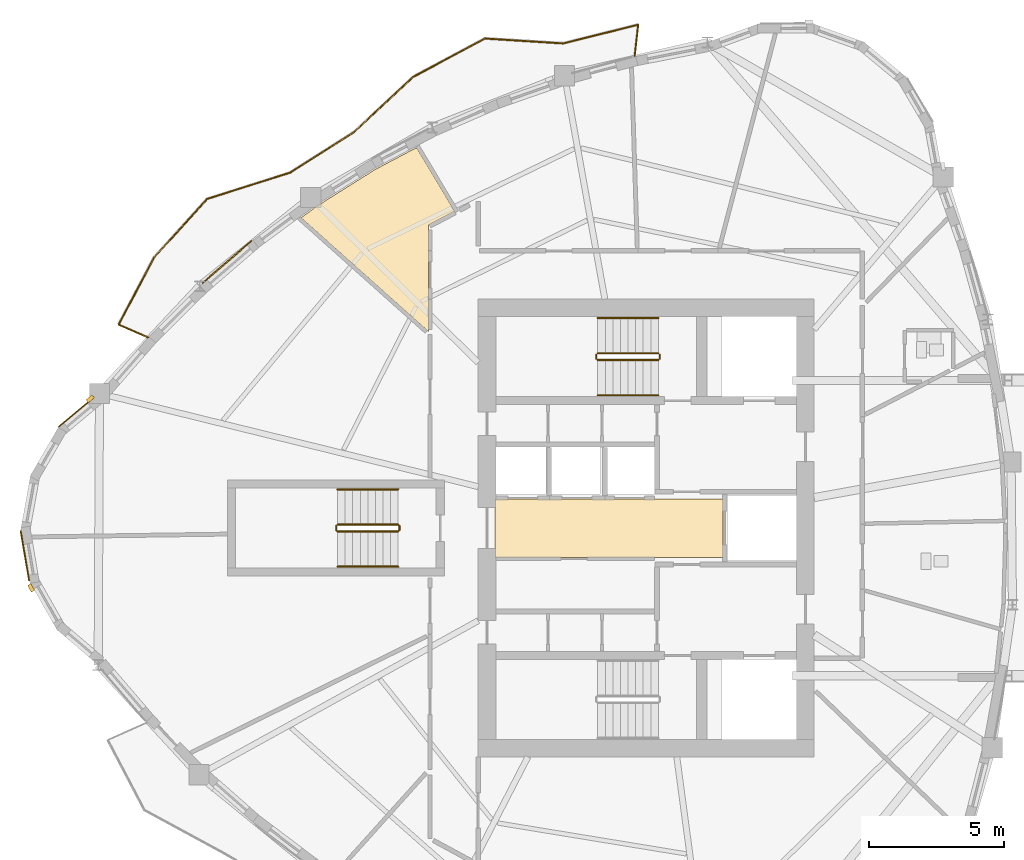
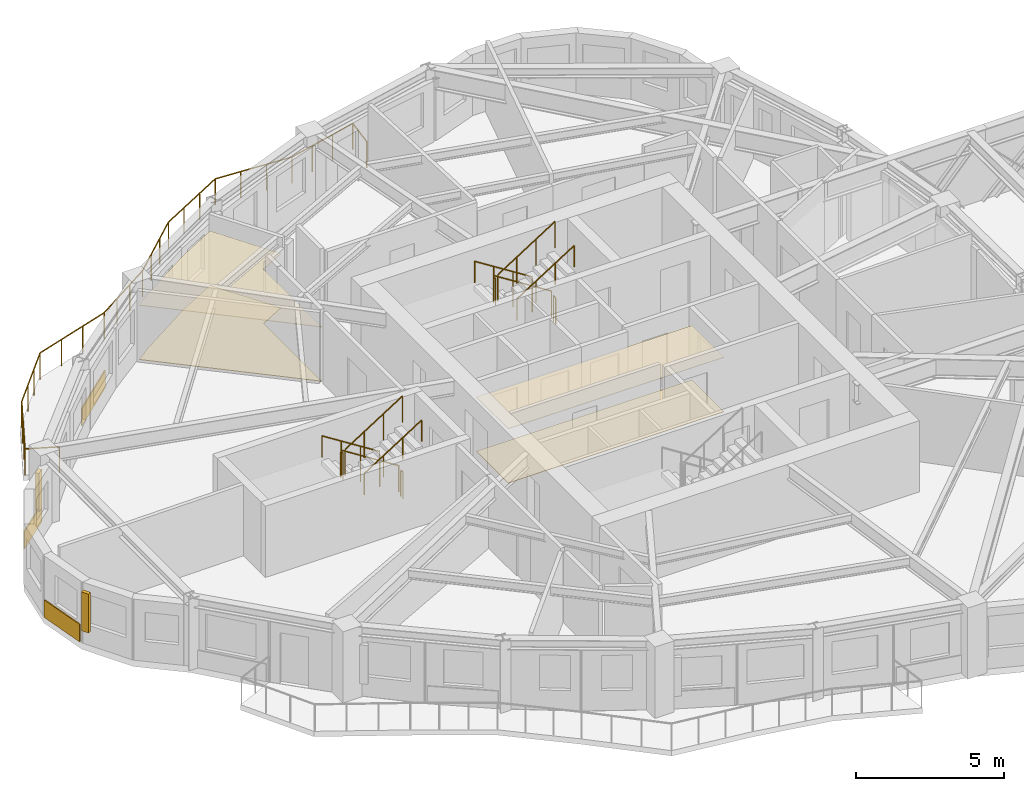
# One storey, part 11 of 13: 13 railings, 7 coverings, 2 shading devices.
"""IFC4 building model written with IfcOpenShell, lengths in metres."""

from ifc_helpers import new_model, si_unit, direction, frame, origin, origin_2d, place, context, subcontext, project, spatial, polyline, rectangle, circle, outline, extrude, source, transform, mapped, material, layer, layer_set, type_object, element, save


model = new_model("IFC4")

# Units and contexts
model_context = context("Model", 3, precision=1e-05, world=origin(), true_north=direction((0.0, 1.0)))
body_context = subcontext(model_context, "Body", "Model", "MODEL_VIEW")
ifc_project = project(units=[si_unit("LENGTHUNIT", "METRE"), si_unit("AREAUNIT", "SQUARE_METRE"), si_unit("VOLUMEUNIT", "CUBIC_METRE"), si_unit("PLANEANGLEUNIT", "RADIAN"), si_unit("MASSUNIT", "GRAM", prefix="KILO")], contexts=[model_context])

# Site, building, storey
site_placement = place(None, origin())
site = spatial("IfcSite", under=ifc_project, at=site_placement, CompositionType="ELEMENT")
building_placement = place(site_placement, origin())
building = spatial("IfcBuilding", under=site, at=building_placement, Name="Qafzar Sky-Pleat Residences", CompositionType="ELEMENT")
storey_placement = place(building_placement, frame((0.0, 0.0, 155.39990234375)))
storey = spatial("IfcBuildingStorey", under=building, at=storey_placement, Name="L46", CompositionType="ELEMENT", Elevation=155.39990234375)

# Coverings
ifc_material_1 = material(Name="Perforated acoustic gypsum board ceiling")
ifc_layer_1 = layer(ifc_material_1, 0.02001953125)
ifc_layer_set_1 = layer_set([ifc_layer_1], Name="Perforated acoustic gypsum board ceiling")
covering_type_1 = type_object("IfcCoveringType", Name="COV-CEIL-ACOUSTIC", PredefinedType="CEILING", material=ifc_layer_set_1)
covering_1_placement = place(storey_placement, frame((0.0, 0.0, 2.239990234375)))
element("IfcCovering", 1, at=covering_1_placement, inside=storey, type_object=covering_type_1, Name="L46 Passenger Lift Lobby Acoustic Ceiling", PredefinedType="CEILING", context=body_context, shape_type="SweptSolid", body=[
    extrude(outline(polyline([(33.179931640625, 24.919921875), (24.77001953125, 24.919921875), (24.77001953125, 27.080078125), (33.179931640625, 27.080078125), (33.179931640625, 24.919921875)])), origin(), (0.0, 0.0, 1.0), 0.02001953125),
])
covering_2_placement = place(storey_placement, frame((0.0, 0.0, 2.239990234375)))
element("IfcCovering", 2, at=covering_2_placement, inside=storey, type_object=covering_type_1, Name="L46 Communal Kitchen Acoustic Ceiling", PredefinedType="CEILING", context=body_context, shape_type="SweptSolid", body=[
    extrude(outline(polyline([(18.1875, 37.873291015625), (20.35693359375, 39.238037109375), (21.875244140625, 40.039306640625), (23.279296875, 37.693603515625), (22.31005859375, 37.181884765625), (22.31005859375, 33.2578125), (17.614990234375, 37.44921875), (18.1875, 37.873291015625)])), origin(), (0.0, 0.0, 1.0), 0.02001953125),
])
ifc_material_2 = material(Name="Honed porcelain and Riyadh stone tile flooring", Category="masonry")
ifc_layer_2 = layer(ifc_material_2, 0.02001953125)
ifc_layer_set_2 = layer_set([ifc_layer_2], Name="Honed porcelain and Riyadh stone tile flooring")
covering_type_2 = type_object("IfcCoveringType", Name="COV-FLR-PORCELAIN", PredefinedType="FLOORING", material=ifc_layer_set_2)
covering_3_placement = place(storey_placement, origin())
element("IfcCovering", 3, at=covering_3_placement, inside=storey, type_object=covering_type_2, Name="L46 Passenger Lift Lobby Honed Stone Flooring", PredefinedType="FLOORING", context=body_context, shape_type="SweptSolid", body=[
    extrude(outline(polyline([(33.179931640625, 24.919921875), (24.77001953125, 24.919921875), (24.77001953125, 27.080078125), (33.179931640625, 27.080078125), (33.179931640625, 24.919921875)])), origin(), (0.0, 0.0, 1.0), 0.02001953125),
])
covering_4_placement = place(storey_placement, origin())
element("IfcCovering", 4, at=covering_4_placement, inside=storey, type_object=covering_type_2, Name="L46 Communal Kitchen Honed Stone Flooring", PredefinedType="FLOORING", context=body_context, shape_type="SweptSolid", body=[
    extrude(outline(polyline([(18.1875, 37.873291015625), (20.35693359375, 39.238037109375), (21.875244140625, 40.039306640625), (23.279296875, 37.693603515625), (22.31005859375, 37.181884765625), (22.31005859375, 33.2578125), (17.614990234375, 37.44921875), (18.1875, 37.873291015625)])), origin(), (0.0, 0.0, 1.0), 0.02001953125),
])

# Shading devices
ifc_material_3 = material(Name="Honed Riyadh limestone solar fin", Category="masonry")
ifc_layer_3 = layer(ifc_material_3, 0.139892578125)
ifc_layer_set_3 = layer_set([ifc_layer_3], Name="Honed Riyadh limestone solar fin")
shading_device_type = type_object("IfcShadingDeviceType", Name="SHD-FIN-STONE", PredefinedType="SHUTTER", material=ifc_layer_set_3)
shared_shape_1 = source(origin(), body_context, "Body", "SweptSolid", [
    extrude(rectangle(XDim=0.139892578125, YDim=0.280029296875, at=origin_2d()), origin(), (0.0, 0.0, 1.0), 1.60009765625),
])
for number, where, z_axis, x_axis, name in (
    (5, (9.833740234375, 30.767333984375, 0.60009765625), (0.0, 0.0, 1.0), (-0.642203231287, 0.766534415225, 0.0), "L46 Limestone Solar Fin 1"),
    (6, (7.65185546875, 23.7919921875, 0.60009765625), (0.0, 0.0, 1.0), (-0.86961473554, -0.493730910245, 0.0), "L46 Limestone Solar Fin 5"),
):
    element("IfcShadingDevice", number, at=place(storey_placement, frame(where, z_axis=z_axis, x_axis=x_axis)), inside=storey, type_object=shading_device_type, Name=name, PredefinedType="SHUTTER", context=body_context, shape_type="MappedRepresentation", body=[
        mapped(shared_shape_1, transform((0.0, 0.0, 0.0), x_axis=(1.0, 0.0, 0.0), y_axis=(0.0, 1.0, 0.0), z_axis=(0.0, 0.0, 1.0), scale=1.0)),
    ])

# Covering
ifc_material_4 = material(Name="Honed Riyadh Tuwaiq limestone cladding", Category="masonry")
ifc_layer_4 = layer(ifc_material_4, 0.044921875)
ifc_layer_set_4 = layer_set([ifc_layer_4], Name="Honed Riyadh Tuwaiq limestone cladding")
covering_type_3 = type_object("IfcCoveringType", Name="COV-CLAD-STONE", PredefinedType="CLADDING", material=ifc_layer_set_4)
shared_shape_2 = source(origin(), body_context, "Body", "SweptSolid", [
    extrude(rectangle(XDim=1.873046875, YDim=0.044921875, at=origin_2d()), origin(), (0.0, 0.0, 1.0), 0.719970703125),
])
covering_5_placement = place(storey_placement, frame((7.420654296875, 24.98046875, 0.02001953125), z_axis=(0.0, 0.0, 1.0), x_axis=(0.168083505524, -0.985772760412, 0.0)))
element("IfcCovering", 7, at=covering_5_placement, inside=storey, type_object=covering_type_3, Name="L46 Riyadh Limestone Spandrel Cladding 4", PredefinedType="CLADDING", context=body_context, shape_type="MappedRepresentation", body=[
    mapped(shared_shape_2, transform((0.0, 0.0, 0.0), x_axis=(1.0, 0.0, 0.0), y_axis=(0.0, 1.0, 0.0), z_axis=(0.0, 0.0, 1.0), scale=1.0)),
])

# Railing
ifc_material_5 = material(Name="Laminated glass and bronze steel balustrade", Category="steel")
railing_type_1 = type_object("IfcRailingType", Name="RAIL-BAL-1100", PredefinedType="BALUSTRADE", material=ifc_material_5)
shared_shape_3 = source(origin(), body_context, "Body", "SweptSolid", [
    extrude(circle(Radius=0.02392578125, at=origin_2d()), frame((0.0, 0.0, 1.076171875), z_axis=(0.11004483681, 0.993926623998, 0.0), x_axis=(-0.993926623998, 0.11004483681, 0.0)), (0.0, 0.0, 1.0), 1.177978515625),
    extrude(circle(Radius=0.02392578125, at=origin_2d()), frame((0.129638671875, 1.1708984375, 1.076171875), z_axis=(-0.970082042591, -0.242777327284, 0.0), x_axis=(0.242777327284, -0.970082042591, 0.0)), (0.0, 0.0, 1.0), 2.851806640625),
    extrude(circle(Radius=0.02392578125, at=origin_2d()), frame((-2.636962890625, 0.478515625, 1.076171875), z_axis=(-0.998049951863, 0.062420297868, 0.0), x_axis=(-0.062420297868, -0.998049951863, 0.0)), (0.0, 0.0, 1.0), 2.894287109375),
    extrude(circle(Radius=0.02392578125, at=origin_2d()), frame((-5.525634765625, 0.6591796875, 1.076171875), z_axis=(-0.881675957054, -0.471855387542, 0.0), x_axis=(0.471855387542, -0.881675957054, 0.0)), (0.0, 0.0, 1.0), 2.998779296875),
    extrude(circle(Radius=0.02392578125, at=origin_2d()), frame((-8.169677734375, -0.755859375, 1.076171875), z_axis=(-0.731104069818, -0.68226595921, 0.0), x_axis=(0.68226595921, -0.731104069818, 0.0)), (0.0, 0.0, 1.0), 2.994384765625),
    extrude(circle(Radius=0.02392578125, at=origin_2d()), frame((-10.35888671875, -2.798828125, 1.076171875), z_axis=(-0.84478081751, -0.535112483845, 0.0), x_axis=(0.535112483845, -0.84478081751, 0.0)), (0.0, 0.0, 1.0), 2.78857421875),
    extrude(circle(Radius=0.02392578125, at=origin_2d()), frame((-12.714599609375, -4.291015625, 1.076171875), z_axis=(-0.95361375082, -0.301032912232, 0.0), x_axis=(0.301032912232, -0.95361375082, 0.0)), (0.0, 0.0, 1.0), 3.204345703125),
    extrude(circle(Radius=0.02392578125, at=origin_2d()), frame((-15.770263671875, -5.255615234375, 1.076171875), z_axis=(-0.671990754736, -0.740559535452, 0.0), x_axis=(0.740559535452, -0.671990754736, 0.0)), (0.0, 0.0, 1.0), 2.923095703125),
    extrude(circle(Radius=0.02392578125, at=origin_2d()), frame((-17.734619140625, -7.42041015625, 1.076171875), z_axis=(-0.466601399342, -0.884467712318, 0.0), x_axis=(0.884467712318, -0.466601399342, 0.0)), (0.0, 0.0, 1.0), 2.80029296875),
    extrude(circle(Radius=0.02392578125, at=origin_2d()), frame((-19.041259765625, -9.897216796875, 1.076171875), z_axis=(0.915724007861, -0.401807841422, 0.0), x_axis=(0.401807841422, 0.915724007861, 0.0)), (0.0, 0.0, 1.0), 1.17822265625),
    extrude(circle(Radius=0.02099609375, at=origin_2d()), origin(), (0.0, 0.0, 1.0), 1.052001953125),
    extrude(circle(Radius=0.02099609375, at=origin_2d()), frame((0.129638671875, 1.1708984375, 0.0)), (0.0, 0.0, 1.0), 1.052001953125),
    extrude(circle(Radius=0.02099609375, at=origin_2d()), frame((-0.79248046875, 0.940185546875, 0.0)), (0.0, 0.0, 1.0), 1.052001953125),
    extrude(circle(Radius=0.02099609375, at=origin_2d()), frame((-1.71484375, 0.709228515625, 0.0)), (0.0, 0.0, 1.0), 1.052001953125),
    extrude(circle(Radius=0.02099609375, at=origin_2d()), frame((-2.636962890625, 0.478515625, 0.0)), (0.0, 0.0, 1.0), 1.052001953125),
    extrude(circle(Radius=0.02099609375, at=origin_2d()), frame((-3.599853515625, 0.538818359375, 0.0)), (0.0, 0.0, 1.0), 1.052001953125),
    extrude(circle(Radius=0.02099609375, at=origin_2d()), frame((-4.562744140625, 0.598876953125, 0.0)), (0.0, 0.0, 1.0), 1.052001953125),
    extrude(circle(Radius=0.02099609375, at=origin_2d()), frame((-5.525634765625, 0.6591796875, 0.0)), (0.0, 0.0, 1.0), 1.052001953125),
    extrude(circle(Radius=0.02099609375, at=origin_2d()), frame((-6.406982421875, 0.1875, 0.0)), (0.0, 0.0, 1.0), 1.052001953125),
    extrude(circle(Radius=0.02099609375, at=origin_2d()), frame((-7.288330078125, -0.2841796875, 0.0)), (0.0, 0.0, 1.0), 1.052001953125),
    extrude(circle(Radius=0.02099609375, at=origin_2d()), frame((-8.169677734375, -0.755859375, 0.0)), (0.0, 0.0, 1.0), 1.052001953125),
    extrude(circle(Radius=0.02099609375, at=origin_2d()), frame((-8.8994140625, -1.436767578125, 0.0)), (0.0, 0.0, 1.0), 1.052001953125),
    extrude(circle(Radius=0.02099609375, at=origin_2d()), frame((-9.629150390625, -2.117919921875, 0.0)), (0.0, 0.0, 1.0), 1.052001953125),
    extrude(circle(Radius=0.02099609375, at=origin_2d()), frame((-10.35888671875, -2.798828125, 0.0)), (0.0, 0.0, 1.0), 1.052001953125),
    extrude(circle(Radius=0.02099609375, at=origin_2d()), frame((-11.14404296875, -3.296142578125, 0.0)), (0.0, 0.0, 1.0), 1.052001953125),
    extrude(circle(Radius=0.02099609375, at=origin_2d()), frame((-11.929443359375, -3.793701171875, 0.0)), (0.0, 0.0, 1.0), 1.052001953125),
    extrude(circle(Radius=0.02099609375, at=origin_2d()), frame((-12.714599609375, -4.291015625, 0.0)), (0.0, 0.0, 1.0), 1.052001953125),
    extrude(circle(Radius=0.02099609375, at=origin_2d()), frame((-13.733154296875, -4.612548828125, 0.0)), (0.0, 0.0, 1.0), 1.052001953125),
    extrude(circle(Radius=0.02099609375, at=origin_2d()), frame((-14.751708984375, -4.93408203125, 0.0)), (0.0, 0.0, 1.0), 1.052001953125),
    extrude(circle(Radius=0.02099609375, at=origin_2d()), frame((-15.770263671875, -5.255615234375, 0.0)), (0.0, 0.0, 1.0), 1.052001953125),
    extrude(circle(Radius=0.02099609375, at=origin_2d()), frame((-16.425048828125, -5.977294921875, 0.0)), (0.0, 0.0, 1.0), 1.052001953125),
    extrude(circle(Radius=0.02099609375, at=origin_2d()), frame((-17.079833984375, -6.69873046875, 0.0)), (0.0, 0.0, 1.0), 1.052001953125),
    extrude(circle(Radius=0.02099609375, at=origin_2d()), frame((-17.734619140625, -7.42041015625, 0.0)), (0.0, 0.0, 1.0), 1.052001953125),
    extrude(circle(Radius=0.02099609375, at=origin_2d()), frame((-18.170166015625, -8.24609375, 0.0)), (0.0, 0.0, 1.0), 1.052001953125),
    extrude(circle(Radius=0.02099609375, at=origin_2d()), frame((-18.605712890625, -9.071533203125, 0.0)), (0.0, 0.0, 1.0), 1.052001953125),
    extrude(circle(Radius=0.02099609375, at=origin_2d()), frame((-19.041259765625, -9.897216796875, 0.0)), (0.0, 0.0, 1.0), 1.052001953125),
    extrude(circle(Radius=0.02099609375, at=origin_2d()), frame((-17.96240234375, -10.37060546875, 0.0)), (0.0, 0.0, 1.0), 1.052001953125),
])
railing_placement = place(storey_placement, frame((29.92578125, 43.405517578125, 0.0)))
element("IfcRailing", 8, at=railing_placement, inside=storey, type_object=railing_type_1, Name="L46 Pleated Balcony 1 Balustrade", PredefinedType="BALUSTRADE", context=body_context, shape_type="MappedRepresentation", body=[
    mapped(shared_shape_3, transform((0.0, 0.0, 0.0), x_axis=(1.0, 0.0, 0.0), y_axis=(0.0, 1.0, 0.0), z_axis=(0.0, 0.0, 1.0), scale=1.0)),
])

# Coverings
shared_shape_4 = source(origin(), body_context, "Body", "SweptSolid", [
    extrude(rectangle(XDim=1.69921875, YDim=0.044921875, at=origin_2d()), origin(), (0.0, 0.0, 1.0), 0.719970703125),
])
covering_6_placement = place(storey_placement, frame((9.317138671875, 30.2783203125, 0.02001953125), z_axis=(0.0, 0.0, 1.0), x_axis=(-0.766569099279, -0.642161830095, 0.0)))
element("IfcCovering", 9, at=covering_6_placement, inside=storey, type_object=covering_type_3, Name="L46 Riyadh Limestone Spandrel Cladding 1", PredefinedType="CLADDING", context=body_context, shape_type="MappedRepresentation", body=[
    mapped(shared_shape_4, transform((0.0, 0.0, 0.0), x_axis=(1.0, 0.0, 0.0), y_axis=(0.0, 1.0, 0.0), z_axis=(0.0, 0.0, 1.0), scale=1.0)),
])
shared_shape_5 = source(origin(), body_context, "Body", "SweptSolid", [
    extrude(rectangle(XDim=2.3896484375, YDim=0.044921875, at=origin_2d()), origin(), (0.0, 0.0, 1.0), 0.719970703125),
])
covering_7_placement = place(storey_placement, frame((14.8798828125, 35.81884765625, 0.02001953125), z_axis=(0.0, 0.0, 1.0), x_axis=(-0.757480604113, -0.652857667791, 0.0)))
element("IfcCovering", 10, at=covering_7_placement, inside=storey, type_object=covering_type_3, Name="L46 Riyadh Limestone Spandrel Cladding 46", PredefinedType="CLADDING", context=body_context, shape_type="MappedRepresentation", body=[
    mapped(shared_shape_5, transform((0.0, 0.0, 0.0), x_axis=(1.0, 0.0, 0.0), y_axis=(0.0, 1.0, 0.0), z_axis=(0.0, 0.0, 1.0), scale=1.0)),
])

# Railings
ifc_material_6 = material(Name="Painted Steel S355 stair guardrail", Category="steel")
railing_type_2 = type_object("IfcRailingType", Name="RAIL-STAIR-GUARD", PredefinedType="GUARDRAIL", material=ifc_material_6)
shared_shape_6 = source(origin(), body_context, "Body", "SweptSolid", [
    extrude(circle(Radius=0.02392578125, at=origin_2d()), frame((0.0, 0.0, 1.076171875), z_axis=(0.0, -1.0, 0.0), x_axis=(1.0, 0.0, 0.0)), (0.0, 0.0, 1.0), 0.14990234375),
    extrude(circle(Radius=0.02099609375, at=origin_2d()), origin(), (0.0, 0.0, 1.0), 1.052001953125),
    extrude(circle(Radius=0.02099609375, at=origin_2d()), frame((0.0, -0.14990234375, 0.0)), (0.0, 0.0, 1.0), 1.052001953125),
])
for number, where, name in (
    (11, (28.510009765625, 32.39990234375, 1.60009765625), "L46 ST2 stair guard 2"),
    (12, (30.85009765625, 32.39990234375, 0.0), "L46 ST2 stair guard 4"),
    (13, (18.909912109375, 26.074951171875, 1.60009765625), "L46 ST3 stair guard 2"),
    (14, (21.25, 26.074951171875, 0.0), "L46 ST3 stair guard 4"),
):
    element("IfcRailing", number, at=place(storey_placement, frame(where)), inside=storey, type_object=railing_type_2, Name=name, PredefinedType="GUARDRAIL", context=body_context, shape_type="MappedRepresentation", body=[
        mapped(shared_shape_6, transform((0.0, 0.0, 0.0), x_axis=(1.0, 0.0, 0.0), y_axis=(0.0, 1.0, 0.0), z_axis=(0.0, 0.0, 1.0), scale=1.0)),
    ])
shared_shape_7 = source(origin(), body_context, "Body", "SweptSolid", [
    extrude(circle(Radius=0.02392578125, at=origin_2d()), frame((0.0, 0.0, 1.076171875), z_axis=(-0.8442293374, 0.0, 0.53598211339), x_axis=(0.0, -1.0, 0.0)), (0.0, 0.0, 1.0), 2.6533203125),
    extrude(circle(Radius=0.02099609375, at=origin_2d()), origin(), (0.0, 0.0, 1.0), 1.052001953125),
    extrude(circle(Radius=0.02099609375, at=origin_2d()), frame((-0.74658203125, 0.0, 0.47412109375)), (0.0, 0.0, 1.0), 1.052001953125),
    extrude(circle(Radius=0.02099609375, at=origin_2d()), frame((-1.493408203125, 0.0, 0.947998046875)), (0.0, 0.0, 1.0), 1.052001953125),
    extrude(circle(Radius=0.02099609375, at=origin_2d()), frame((-2.239990234375, 0.0, 1.422119140625)), (0.0, 0.0, 1.0), 1.052001953125),
])
for number, where, name in (
    (15, (30.800048828125, 32.449951171875, 0.177978515625), "L46 ST2 stair guard 1"),
    (16, (21.199951171875, 26.125, 0.177978515625), "L46 ST3 stair guard 1"),
):
    element("IfcRailing", number, at=place(storey_placement, frame(where)), inside=storey, type_object=railing_type_2, Name=name, PredefinedType="GUARDRAIL", context=body_context, shape_type="MappedRepresentation", body=[
        mapped(shared_shape_7, transform((0.0, 0.0, 0.0), x_axis=(1.0, 0.0, 0.0), y_axis=(0.0, 1.0, 0.0), z_axis=(0.0, 0.0, 1.0), scale=1.0)),
    ])
ifc_material_7 = material(Name="Brushed stainless steel handrail", Category="steel")
railing_type_3 = type_object("IfcRailingType", Name="RAIL-STAIR-HAND", PredefinedType="HANDRAIL", material=ifc_material_7)
shared_shape_8 = source(origin(), body_context, "Body", "SweptSolid", [
    extrude(circle(Radius=0.02392578125, at=origin_2d()), frame((0.0, 0.0, 0.8759765625), z_axis=(-0.8442293374, 0.0, 0.53598211339), x_axis=(0.0, -1.0, 0.0)), (0.0, 0.0, 1.0), 2.6533203125),
    extrude(circle(Radius=0.02099609375, at=origin_2d()), origin(), (0.0, 0.0, 1.0), 0.851806640625),
    extrude(circle(Radius=0.02099609375, at=origin_2d()), frame((-0.74658203125, 0.0, 0.47412109375)), (0.0, 0.0, 1.0), 0.851806640625),
    extrude(circle(Radius=0.02099609375, at=origin_2d()), frame((-1.493408203125, 0.0, 0.947998046875)), (0.0, 0.0, 1.0), 0.851806640625),
    extrude(circle(Radius=0.02099609375, at=origin_2d()), frame((-2.239990234375, 0.0, 1.422119140625)), (0.0, 0.0, 1.0), 0.851806640625),
])
for number, where, name in (
    (17, (30.800048828125, 33.75, 0.177978515625), "L46 ST2 stair handrail 1"),
    (18, (21.199951171875, 27.425048828125, 0.177978515625), "L46 ST3 stair handrail 1"),
):
    element("IfcRailing", number, at=place(storey_placement, frame(where)), inside=storey, type_object=railing_type_3, Name=name, PredefinedType="HANDRAIL", context=body_context, shape_type="MappedRepresentation", body=[
        mapped(shared_shape_8, transform((0.0, 0.0, 0.0), x_axis=(1.0, 0.0, 0.0), y_axis=(0.0, 1.0, 0.0), z_axis=(0.0, 0.0, 1.0), scale=1.0)),
    ])
shared_shape_9 = source(origin(), body_context, "Body", "SweptSolid", [
    extrude(circle(Radius=0.02392578125, at=origin_2d()), frame((0.0, 0.0, 1.076171875), z_axis=(0.84418770128, 0.0, 0.536047689118), x_axis=(0.0, 1.0, 0.0)), (0.0, 0.0, 1.0), 2.6533203125),
    extrude(circle(Radius=0.02099609375, at=origin_2d()), origin(), (0.0, 0.0, 1.0), 1.052001953125),
    extrude(circle(Radius=0.02099609375, at=origin_2d()), frame((0.74658203125, 0.0, 0.47412109375)), (0.0, 0.0, 1.0), 1.052001953125),
    extrude(circle(Radius=0.02099609375, at=origin_2d()), frame((1.493408203125, 0.0, 0.9482421875)), (0.0, 0.0, 1.0), 1.052001953125),
    extrude(circle(Radius=0.02099609375, at=origin_2d()), frame((2.239990234375, 0.0, 1.42236328125)), (0.0, 0.0, 1.0), 1.052001953125),
])
for number, where, name in (
    (19, (28.56005859375, 32.199951171875, 1.77783203125), "L46 ST2 stair guard 3"),
    (20, (18.9599609375, 25.875, 1.77783203125), "L46 ST3 stair guard 3"),
):
    element("IfcRailing", number, at=place(storey_placement, frame(where)), inside=storey, type_object=railing_type_2, Name=name, PredefinedType="GUARDRAIL", context=body_context, shape_type="MappedRepresentation", body=[
        mapped(shared_shape_9, transform((0.0, 0.0, 0.0), x_axis=(1.0, 0.0, 0.0), y_axis=(0.0, 1.0, 0.0), z_axis=(0.0, 0.0, 1.0), scale=1.0)),
    ])
shared_shape_10 = source(origin(), body_context, "Body", "SweptSolid", [
    extrude(circle(Radius=0.02392578125, at=origin_2d()), frame((0.0, 0.0, 0.8759765625), z_axis=(0.84418770128, 0.0, 0.536047689118), x_axis=(0.0, 1.0, 0.0)), (0.0, 0.0, 1.0), 2.6533203125),
    extrude(circle(Radius=0.02099609375, at=origin_2d()), origin(), (0.0, 0.0, 1.0), 0.851806640625),
    extrude(circle(Radius=0.02099609375, at=origin_2d()), frame((0.74658203125, 0.0, 0.47412109375)), (0.0, 0.0, 1.0), 0.851806640625),
    extrude(circle(Radius=0.02099609375, at=origin_2d()), frame((1.493408203125, 0.0, 0.9482421875)), (0.0, 0.0, 1.0), 0.851806640625),
    extrude(circle(Radius=0.02099609375, at=origin_2d()), frame((2.239990234375, 0.0, 1.42236328125)), (0.0, 0.0, 1.0), 0.851806640625),
])
for number, where, name in (
    (21, (28.56005859375, 30.89990234375, 1.77783203125), "L46 ST2 stair handrail 2"),
    (22, (18.9599609375, 24.574951171875, 1.77783203125), "L46 ST3 stair handrail 2"),
):
    element("IfcRailing", number, at=place(storey_placement, frame(where)), inside=storey, type_object=railing_type_3, Name=name, PredefinedType="HANDRAIL", context=body_context, shape_type="MappedRepresentation", body=[
        mapped(shared_shape_10, transform((0.0, 0.0, 0.0), x_axis=(1.0, 0.0, 0.0), y_axis=(0.0, 1.0, 0.0), z_axis=(0.0, 0.0, 1.0), scale=1.0)),
    ])

save(model, "model.ifc")
